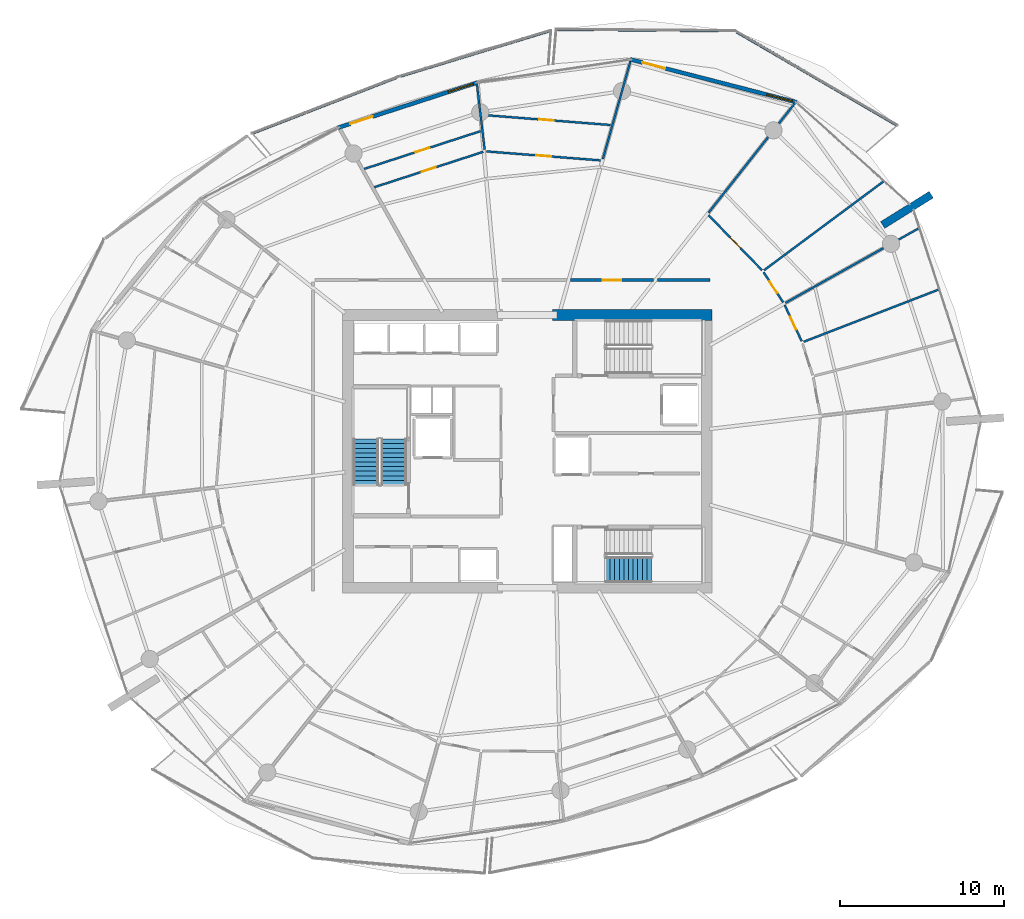
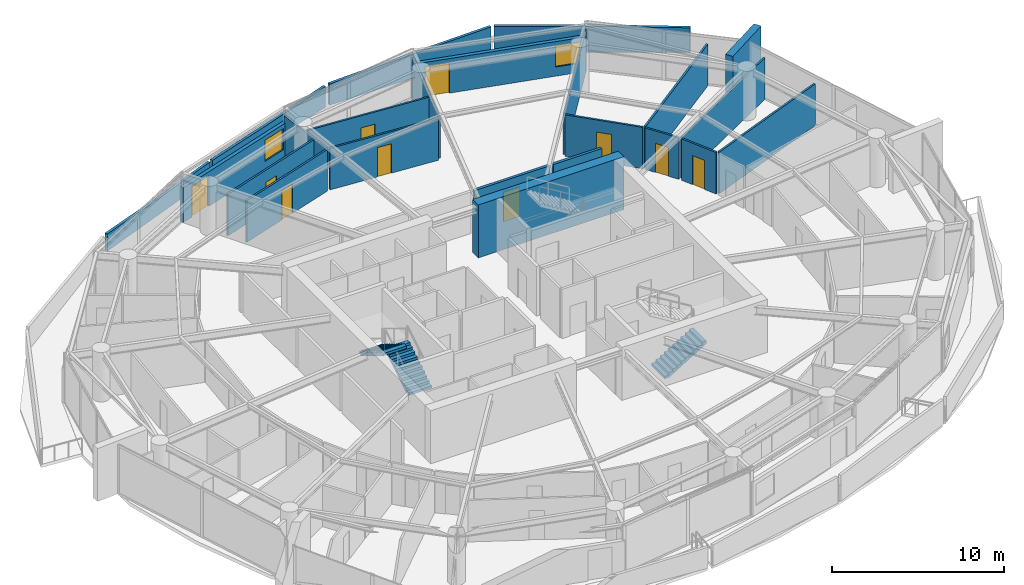
# One storey, part 15 of 21: 23 walls, 10 doors, 3 stair flights, 2 windows, 12 openings, 2 elements without a shape of their own.
"""IFC4 building model written with IfcOpenShell, lengths in metres."""

from ifc_helpers import new_model, si_unit, direction, frame, frame_2d, origin, place, context, subcontext, project, spatial, polyline, rectangle, outline, extrude, material, layer, layer_set, type_object, element, fill, aggregate, save


model = new_model("IFC4")

# Units and contexts
model_context = context("Model", 3, precision=1e-05, world=origin(), true_north=direction((0.0, 1.0)))
body_context = subcontext(model_context, "Body", "Model", "MODEL_VIEW")
ifc_project = project(units=[si_unit("LENGTHUNIT", "METRE"), si_unit("AREAUNIT", "SQUARE_METRE"), si_unit("VOLUMEUNIT", "CUBIC_METRE"), si_unit("PLANEANGLEUNIT", "RADIAN"), si_unit("MASSUNIT", "GRAM", prefix="KILO")], contexts=[model_context])

# Site, building, storey
site_placement = place(None, origin())
site = spatial("IfcSite", under=ifc_project, at=site_placement, CompositionType="ELEMENT")
building_placement = place(site_placement, origin())
building = spatial("IfcBuilding", under=site, at=building_placement, Name="Kazma Halo Residences", CompositionType="ELEMENT")
storey_placement = place(building_placement, frame((0.0, 0.0, 195.300048828125)))
storey = spatial("IfcBuildingStorey", under=building, at=storey_placement, Name="L49", CompositionType="ELEMENT", Elevation=195.300048828125)

# Walls
ifc_material_1 = material(Name="White Concrete C50/60 Balustrade", Category="concrete")
ifc_layer_1 = layer(ifc_material_1, 0.179931640625)
ifc_layer_set_1 = layer_set([ifc_layer_1], Name="White Concrete C50/60 Balustrade")
wall_type_1 = type_object("IfcWallType", Name="WL-BAL-WAVE-180", PredefinedType="PARAPET", material=ifc_layer_set_1)
wall_1_placement = place(storey_placement, frame((71.01611328125, 61.902099609375, 0.0), z_axis=(0.0, 0.0, 1.0), x_axis=(-0.864391947404, 0.502818616663, 0.0)))
element("IfcWall", 1, at=wall_1_placement, inside=storey, type_object=wall_type_1, Name="L49 white wave balustrade wall NE.1", PredefinedType="PARAPET", context=body_context, shape_type="SweptSolid", body=[
    extrude(outline(polyline([(0.0, 0.0), (11.369873046875, 0.0), (11.3701171875, 1.83203125), (5.68505859375, 1.85302734375), (0.0, 1.755859375), (0.0, 0.0)])), frame((0.0, 0.08984375, 0.0), z_axis=(0.0, -1.0, 0.0), x_axis=(1.0, 0.0, 0.0)), (0.0, 0.0, 1.0), 0.179931640625),
])
wall_2_placement = place(storey_placement, frame((60.96435546875, 67.680419921875, 0.0), z_axis=(0.0, 0.0, 1.0), x_axis=(-0.999967670182, 0.008041056536, 0.0)))
element("IfcWall", 2, at=wall_2_placement, inside=storey, type_object=wall_type_1, Name="L49 white wave balustrade wall NE.2", PredefinedType="PARAPET", context=body_context, shape_type="SweptSolid", body=[
    extrude(outline(polyline([(0.0, 0.0), (10.7783203125, 0.0), (10.7783203125, 1.4970703125), (5.38916015625, 1.696044921875), (0.0, 1.83203125), (0.0, 0.0)])), frame((0.0, 0.08984375, 0.0), z_axis=(0.0, -1.0, 0.0), x_axis=(1.0, 0.0, 0.0)), (0.0, 0.0, 1.0), 0.179931640625),
])
wall_3_placement = place(storey_placement, frame((49.864990234375, 67.70166015625, 0.0), z_axis=(0.0, 0.0, 1.0), x_axis=(-0.956822857871, -0.290671668135, 0.0)))
element("IfcWall", 3, at=wall_3_placement, inside=storey, type_object=wall_type_1, Name="L49 white wave balustrade wall NNW.1", PredefinedType="PARAPET", context=body_context, shape_type="SweptSolid", body=[
    extrude(outline(polyline([(0.0, 0.0), (9.59765625, 0.0), (9.59765625, 1.14794921875), (4.798828125, 1.283935546875), (0.0, 1.48291015625), (0.0, 0.0)])), frame((0.0, 0.08984375, 0.0), z_axis=(0.0, -1.0, 0.0), x_axis=(1.0, 0.0, 0.0)), (0.0, 0.0, 1.0), 0.179931640625),
])
wall_4_placement = place(storey_placement, frame((40.454833984375, 64.833740234375, 0.0), z_axis=(0.0, 0.0, 1.0), x_axis=(-0.932733135956, -0.360567465378, 0.0)))
element("IfcWall", 4, at=wall_4_placement, inside=storey, type_object=wall_type_1, Name="L49 white wave balustrade wall NNW.2", PredefinedType="PARAPET", context=body_context, shape_type="SweptSolid", body=[
    extrude(outline(polyline([(0.0, 0.0), (9.47265625, 0.0), (9.47265625, 1.223876953125), (4.736328125, 1.126953125), (0.0, 1.14794921875), (0.0, 0.0)])), frame((0.0, 0.08984375, 0.0), z_axis=(0.0, -1.0, 0.0), x_axis=(1.0, 0.0, 0.0)), (0.0, 0.0, 1.0), 0.179931640625),
])
ifc_material_2 = material(Name="Pale Concrete C60/75", Category="concrete")
ifc_layer_2 = layer(ifc_material_2, 0.47998046875)
ifc_layer_set_2 = layer_set([ifc_layer_2], Name="Pale Concrete C60/75")
wall_type_2 = type_object("IfcWallType", Name="WL-BLADE-480", PredefinedType="SOLIDWALL", material=ifc_layer_set_2)
wall_5_placement = place(storey_placement, frame((70.11376953125, 55.818115234375, 0.0), z_axis=(0.0, 0.0, 1.0), x_axis=(0.848033572426, 0.529942506352, 0.0)))
element("IfcWall", 5, at=wall_5_placement, inside=storey, type_object=wall_type_2, Name="L49 pale concrete structural blade fin wall BW-01", PredefinedType="SOLIDWALL", context=body_context, shape_type="SweptSolid", body=[
    extrude(rectangle(XDim=3.5, YDim=0.47998046875, at=frame_2d((1.75, 0.0))), origin(), (0.0, 0.0, 1.0), 3.75),
])
ifc_material_3 = material(Name="Concrete C60/75", Category="concrete")
ifc_layer_3 = layer(ifc_material_3, 0.64990234375)
ifc_layer_set_3 = layer_set([ifc_layer_3], Name="Concrete C60/75")
wall_type_3 = type_object("IfcWallType", Name="WL-CORE-650", PredefinedType="SHEAR", material=ifc_layer_set_3)
wall_6_placement = place(storey_placement, frame((49.949951171875, 50.324951171875, 0.0), z_axis=(0.0, 0.0, 1.0), x_axis=(1.0, 0.0, 0.0)))
element("IfcWall", 6, at=wall_6_placement, inside=storey, type_object=wall_type_3, Name="L49 central core shear wall NE", PredefinedType="SHEAR", context=body_context, shape_type="SweptSolid", body=[
    extrude(rectangle(XDim=9.75, YDim=0.64990234375, at=frame_2d((4.875, 0.0))), origin(), (0.0, 0.0, 1.0), 3.75),
])

# Wall, opening, door
ifc_material_4 = material(Name="Acoustic Twin-Stud Gypsum")
ifc_layer_4 = layer(ifc_material_4, 0.179931640625)
ifc_layer_set_4 = layer_set([ifc_layer_4], Name="Acoustic Twin-Stud Gypsum")
wall_type_4 = type_object("IfcWallType", Name="WL-DEM-180", PredefinedType="PARTITIONING", material=ifc_layer_set_4)
wall_7_placement = place(storey_placement, frame((56.1181640625, 52.449951171875, 0.0), z_axis=(0.0, 0.0, 1.0), x_axis=(-1.0, 0.0, 0.0)))
wall_7 = element("IfcWall", 7, at=wall_7_placement, inside=storey, type_object=wall_type_4, Name="L49 Apartment 2 entrance corridor wall", PredefinedType="PARTITIONING", context=body_context, shape_type="SweptSolid", body=[
    extrude(rectangle(XDim=5.051025390625, YDim=0.179931640625, at=frame_2d((2.525390625, 0.0))), origin(), (0.0, 0.0, 1.0), 2.93994140625),
])
opening_1_placement = place(wall_7_placement, frame((1.975341796875, 0.0, 0.0)))
opening_1 = element("IfcOpeningElement", 8, at=opening_1_placement, cuts=wall_7, Name="Opening DA-1100", PredefinedType="OPENING", context=body_context, shape_type="SweptSolid", body=[
    extrude(rectangle(XDim=1.10009765625, YDim=2.10009765625, at=frame_2d((0.550048828125, 1.050048828125))), frame((0.0, 0.099853515625, 0.0), z_axis=(0.0, -1.0, 0.0), x_axis=(1.0, 0.0, 0.0)), (0.0, 0.0, 1.0), 0.199951171875),
])
ifc_material_5 = material(Name="Acoustic Walnut Fire Leaf")
door_type_1 = type_object("IfcDoorType", Name="DR-FD60-1100", OperationType="NOTDEFINED", PredefinedType="DOOR", material=ifc_material_5)
door_1_placement = place(opening_1_placement, origin())
door_1 = element("IfcDoor", 9, at=door_1_placement, inside=storey, type_object=door_type_1, Name="L49 Apartment 2 entrance fire door", OperationType="SINGLE_SWING_RIGHT", OverallHeight=2.10009765625, OverallWidth=1.10009765625, PredefinedType="DOOR", context=body_context, shape_type="SweptSolid", body=[
    extrude(rectangle(XDim=1.10009765625, YDim=2.10009765625, at=frame_2d((0.550048828125, 1.050048828125))), frame((0.0, 0.02490234375, 0.0), z_axis=(0.0, -1.0, 0.0), x_axis=(1.0, 0.0, 0.0)), (0.0, 0.0, 1.0), 0.050048828125),
])
fill(opening_1, door_1)

# Wall
wall_8_placement = place(storey_placement, frame((59.580078125, 52.449951171875, 0.0), z_axis=(0.0, 0.0, 1.0), x_axis=(-1.0, 0.0, 0.0)))
element("IfcWall", 10, at=wall_8_placement, inside=storey, type_object=wall_type_4, Name="L49 Apartment 2 inner wall 0", PredefinedType="PARTITIONING", context=body_context, shape_type="SweptSolid", body=[
    extrude(rectangle(XDim=3.221923828125, YDim=0.179931640625, at=frame_2d((1.61083984375, 0.0))), origin(), (0.0, 0.0, 1.0), 2.93994140625),
])

# Wall, openings, door, window
ifc_material_6 = material(Name="Insulated Pale-Metal Composite Wall")
ifc_layer_5 = layer(ifc_material_6, 0.239990234375)
ifc_layer_set_5 = layer_set([ifc_layer_5], Name="Insulated Pale-Metal Composite Wall")
wall_type_5 = type_object("IfcWallType", Name="WL-EXT-HOST-240", PredefinedType="SOLIDWALL", material=ifc_layer_set_5)
wall_9_placement = place(storey_placement, frame((64.860107421875, 63.31298828125, 0.0), z_axis=(0.0, 0.0, 1.0), x_axis=(-0.968374028006, 0.249502989727, 0.0)))
wall_9 = element("IfcWall", 11, at=wall_9_placement, inside=storey, type_object=wall_type_5, Name="L49 exterior terrace-access wall B02", PredefinedType="SOLIDWALL", context=body_context, shape_type="SweptSolid", body=[
    extrude(rectangle(XDim=10.494384765625, YDim=0.239990234375, at=frame_2d((5.2470703125, 0.0))), origin(), (0.0, 0.0, 1.0), 2.449951171875),
])
opening_2_placement = place(wall_9_placement, frame((8.2744140625, 0.0, 0.0)))
opening_2 = element("IfcOpeningElement", 12, at=opening_2_placement, cuts=wall_9, Name="Opening DTR-1600", PredefinedType="OPENING", context=body_context, shape_type="SweptSolid", body=[
    extrude(rectangle(XDim=1.449951171875, YDim=2.14990234375, at=frame_2d((0.72509765625, 1.074951171875))), frame((0.0, 0.1298828125, 0.0), z_axis=(0.0, -1.0, 0.0), x_axis=(1.0, 0.0, 0.0)), (0.0, 0.0, 1.0), 0.260009765625),
])
opening_3_placement = place(wall_9_placement, frame((0.280029296875, 0.0, 0.64990234375)))
opening_3 = element("IfcOpeningElement", 13, at=opening_3_placement, cuts=wall_9, Name="Opening W-1800", PredefinedType="OPENING", context=body_context, shape_type="SweptSolid", body=[
    extrude(rectangle(XDim=1.60009765625, YDim=1.5, at=frame_2d((0.800048828125, 0.75))), frame((0.0, 0.1298828125, 0.0), z_axis=(0.0, -1.0, 0.0), x_axis=(1.0, 0.0, 0.0)), (0.0, 0.0, 1.0), 0.260009765625),
])
ifc_material_7 = material(Name="Aluminium AW-6063 T6 Double-Glazed Terrace Door", Category="aluminium")
door_type_2 = type_object("IfcDoorType", Name="DR-EXT-TERR-1600", OperationType="NOTDEFINED", PredefinedType="DOOR", material=ifc_material_7)
door_2_placement = place(opening_2_placement, origin())
door_2 = element("IfcDoor", 14, at=door_2_placement, inside=storey, type_object=door_type_2, Name="L49 B02 balcony terrace door", OperationType="DOUBLE_DOOR_SLIDING", OverallHeight=2.14990234375, OverallWidth=1.449951171875, PredefinedType="DOOR", context=body_context, shape_type="SweptSolid", body=[
    extrude(rectangle(XDim=1.449951171875, YDim=2.14990234375, at=frame_2d((0.72509765625, 1.074951171875))), frame((0.0, 0.02490234375, 0.0), z_axis=(0.0, -1.0, 0.0), x_axis=(1.0, 0.0, 0.0)), (0.0, 0.0, 1.0), 0.050048828125),
])
fill(opening_2, door_2)
ifc_material_8 = material(Name="Clear Triple-Silver Low-E Glass in Aluminium AW-6063 T6 Frame", Category="aluminium")
window_type = type_object("IfcWindowType", Name="WIN-RES-1800", PartitioningType="DOUBLE_PANEL_VERTICAL", PredefinedType="WINDOW", material=ifc_material_8)
window_1_placement = place(opening_3_placement, origin())
window_1 = element("IfcWindow", 15, at=window_1_placement, inside=storey, type_object=window_type, Name="L49 B02 apartment window", OverallHeight=1.5, OverallWidth=1.60009765625, PartitioningType="SINGLE_PANEL", PredefinedType="WINDOW", context=body_context, shape_type="SweptSolid", body=[
    extrude(rectangle(XDim=1.60009765625, YDim=1.5, at=frame_2d((0.800048828125, 0.75))), frame((0.0, 0.030029296875, 0.0), z_axis=(0.0, -1.0, 0.0), x_axis=(1.0, 0.0, 0.0)), (0.0, 0.0, 1.0), 0.06005859375),
])
fill(opening_3, window_1)

wall_10_placement = place(storey_placement, frame((45.38427734375, 64.518798828125, 0.0), z_axis=(0.0, 0.0, 1.0), x_axis=(-0.951058543936, -0.309010753869, 0.0)))
wall_10 = element("IfcWall", 16, at=wall_10_placement, inside=storey, type_object=wall_type_5, Name="L49 exterior terrace-access wall B04", PredefinedType="SOLIDWALL", context=body_context, shape_type="SweptSolid", body=[
    extrude(rectangle(XDim=8.942138671875, YDim=0.239990234375, at=frame_2d((4.47119140625, 0.0))), origin(), (0.0, 0.0, 1.0), 2.449951171875),
])
opening_4_placement = place(wall_10_placement, frame((6.721923828125, 0.0, 0.0)))
opening_4 = element("IfcOpeningElement", 17, at=opening_4_placement, cuts=wall_10, Name="Opening DTR-1600", PredefinedType="OPENING", context=body_context, shape_type="SweptSolid", body=[
    extrude(rectangle(XDim=1.449951171875, YDim=2.14990234375, at=frame_2d((0.72509765625, 1.074951171875))), frame((0.0, 0.1298828125, 0.0), z_axis=(0.0, -1.0, 0.0), x_axis=(1.0, 0.0, 0.0)), (0.0, 0.0, 1.0), 0.260009765625),
])
opening_5_placement = place(wall_10_placement, frame((0.280029296875, 0.0, 0.64990234375)))
opening_5 = element("IfcOpeningElement", 18, at=opening_5_placement, cuts=wall_10, Name="Opening W-1800", PredefinedType="OPENING", context=body_context, shape_type="SweptSolid", body=[
    extrude(rectangle(XDim=1.60009765625, YDim=1.5, at=frame_2d((0.800048828125, 0.75))), frame((0.0, 0.1298828125, 0.0), z_axis=(0.0, -1.0, 0.0), x_axis=(1.0, 0.0, 0.0)), (0.0, 0.0, 1.0), 0.260009765625),
])
door_3_placement = place(opening_4_placement, origin())
door_3 = element("IfcDoor", 19, at=door_3_placement, inside=storey, type_object=door_type_2, Name="L49 B04 balcony terrace door", OperationType="DOUBLE_DOOR_SLIDING", OverallHeight=2.14990234375, OverallWidth=1.449951171875, PredefinedType="DOOR", context=body_context, shape_type="SweptSolid", body=[
    extrude(rectangle(XDim=1.449951171875, YDim=2.14990234375, at=frame_2d((0.72509765625, 1.074951171875))), frame((0.0, 0.02490234375, 0.0), z_axis=(0.0, -1.0, 0.0), x_axis=(1.0, 0.0, 0.0)), (0.0, 0.0, 1.0), 0.050048828125),
])
fill(opening_4, door_3)
window_2_placement = place(opening_5_placement, origin())
window_2 = element("IfcWindow", 20, at=window_2_placement, inside=storey, type_object=window_type, Name="L49 B04 apartment window", OverallHeight=1.5, OverallWidth=1.60009765625, PartitioningType="SINGLE_PANEL", PredefinedType="WINDOW", context=body_context, shape_type="SweptSolid", body=[
    extrude(rectangle(XDim=1.60009765625, YDim=1.5, at=frame_2d((0.800048828125, 0.75))), frame((0.0, 0.030029296875, 0.0), z_axis=(0.0, -1.0, 0.0), x_axis=(1.0, 0.0, 0.0)), (0.0, 0.0, 1.0), 0.06005859375),
])
fill(opening_5, window_2)

# Wall
ifc_material_9 = material(Name="Gypsum Plasterboard Partition")
ifc_layer_6 = layer(ifc_material_9, 0.125)
ifc_layer_set_6 = layer_set([ifc_layer_6], Name="Gypsum Plasterboard Partition")
wall_type_6 = type_object("IfcWallType", Name="WL-PART-125", PredefinedType="PARTITIONING", material=ifc_layer_set_6)
wall_11_placement = place(storey_placement, frame((65.288330078125, 48.6884765625, 0.0), z_axis=(0.0, 0.0, 1.0), x_axis=(0.932645255022, 0.360794717652, 0.0)))
element("IfcWall", 21, at=wall_11_placement, inside=storey, type_object=wall_type_6, Name="L49 Apartment 2 bay wall 2 15", PredefinedType="PARTITIONING", context=body_context, shape_type="SweptSolid", body=[
    extrude(rectangle(XDim=8.863037109375, YDim=0.125, at=frame_2d((4.431640625, 0.0))), origin(), (0.0, 0.0, 1.0), 2.93994140625),
])

# Wall, opening, door
wall_12_placement = place(storey_placement, frame((65.17041015625, 48.728271484375, 0.0), z_axis=(0.0, 0.0, 1.0), x_axis=(-0.42584510915, 0.904796078138, 0.0)))
wall_12 = element("IfcWall", 22, at=wall_12_placement, inside=storey, type_object=wall_type_6, Name="L49 Apartment 2 Outer Bedroom hall wall", PredefinedType="PARTITIONING", context=body_context, shape_type="SweptSolid", body=[
    extrude(rectangle(XDim=2.44580078125, YDim=0.125, at=frame_2d((1.222900390625, 0.0))), origin(), (0.0, 0.0, 1.0), 2.93994140625),
])
opening_6_placement = place(wall_12_placement, frame((0.7978515625, 0.0, 0.0)))
opening_6 = element("IfcOpeningElement", 23, at=opening_6_placement, cuts=wall_12, Name="Opening DB-900", PredefinedType="OPENING", context=body_context, shape_type="SweptSolid", body=[
    extrude(rectangle(XDim=0.85009765625, YDim=2.06005859375, at=frame_2d((0.425048828125, 1.030029296875))), frame((0.0, 0.072509765625, 0.0), z_axis=(0.0, -1.0, 0.0), x_axis=(1.0, 0.0, 0.0)), (0.0, 0.0, 1.0), 0.14501953125),
])
ifc_material_10 = material(Name="Moisture-Sealed Timber Leaf", Category="wood")
door_type_3 = type_object("IfcDoorType", Name="DR-BTH-900", OperationType="NOTDEFINED", PredefinedType="DOOR", material=ifc_material_10)
door_4_placement = place(opening_6_placement, origin())
door_4 = element("IfcDoor", 24, at=door_4_placement, inside=storey, type_object=door_type_3, Name="L49 Apartment 2 Outer Bedroom door", OperationType="SINGLE_SWING_RIGHT", OverallHeight=2.06005859375, OverallWidth=0.85009765625, PredefinedType="DOOR", context=body_context, shape_type="SweptSolid", body=[
    extrude(rectangle(XDim=0.85009765625, YDim=2.06005859375, at=frame_2d((0.425048828125, 1.030029296875))), frame((0.0, 0.02490234375, 0.0), z_axis=(0.0, -1.0, 0.0), x_axis=(1.0, 0.0, 0.0)), (0.0, 0.0, 1.0), 0.050048828125),
])
fill(opening_6, door_4)

# Walls
wall_13_placement = place(storey_placement, frame((64.18212890625, 51.0625, 0.0), z_axis=(0.0, 0.0, 1.0), x_axis=(0.872500226359, 0.488613707344, 0.0)))
element("IfcWall", 25, at=wall_13_placement, inside=storey, type_object=wall_type_6, Name="L49 Apartment 2 radial partition 0", PredefinedType="PARTITIONING", context=body_context, shape_type="SweptSolid", body=[
    extrude(rectangle(XDim=9.34814453125, YDim=0.125, at=frame_2d((4.674072265625, 0.0))), origin(), (0.0, 0.0, 1.0), 2.93994140625),
])
wall_14_placement = place(storey_placement, frame((59.482421875, 56.565185546875, 0.0), z_axis=(0.0, 0.0, 1.0), x_axis=(0.619076951814, 0.785330330328, 0.0)))
element("IfcWall", 26, at=wall_14_placement, inside=storey, type_object=wall_type_6, Name="L49 Apartment 2 living radial partition 0", PredefinedType="PARTITIONING", context=body_context, shape_type="SweptSolid", body=[
    extrude(rectangle(XDim=8.583251953125, YDim=0.125, at=frame_2d((4.29150390625, 0.0))), origin(), (0.0, 0.0, 1.0), 2.93994140625),
])
wall_15_placement = place(storey_placement, frame((62.8759765625, 53.06005859375, 0.0), z_axis=(0.0, 0.0, 1.0), x_axis=(0.802513116708, 0.596634475631, 0.0)))
element("IfcWall", 27, at=wall_15_placement, inside=storey, type_object=wall_type_6, Name="L49 Apartment 2 mid-bay wall 0", PredefinedType="PARTITIONING", context=body_context, shape_type="SweptSolid", body=[
    extrude(rectangle(XDim=9.0908203125, YDim=0.125, at=frame_2d((4.54541015625, 0.0))), origin(), (0.0, 0.0, 1.0), 2.93994140625),
])

# Wall, opening, door
wall_16_placement = place(storey_placement, frame((64.04052734375, 51.097412109375, 0.0), z_axis=(0.0, 0.0, 1.0), x_axis=(-0.543689429225, 0.839286485384, 0.0)))
wall_16 = element("IfcWall", 28, at=wall_16_placement, inside=storey, type_object=wall_type_6, Name="L49 Apartment 2 Corner Wine Pantry Store hall wall", PredefinedType="PARTITIONING", context=body_context, shape_type="SweptSolid", body=[
    extrude(rectangle(XDim=2.194580078125, YDim=0.125, at=frame_2d((1.09716796875, 0.0))), origin(), (0.0, 0.0, 1.0), 2.93994140625),
])
opening_7_placement = place(wall_16_placement, frame((0.672119140625, 0.0, 0.0)))
opening_7 = element("IfcOpeningElement", 29, at=opening_7_placement, cuts=wall_16, Name="Opening DB-900", PredefinedType="OPENING", context=body_context, shape_type="SweptSolid", body=[
    extrude(rectangle(XDim=0.85009765625, YDim=2.06005859375, at=frame_2d((0.425048828125, 1.030029296875))), frame((0.0, 0.072509765625, 0.0), z_axis=(0.0, -1.0, 0.0), x_axis=(1.0, 0.0, 0.0)), (0.0, 0.0, 1.0), 0.14501953125),
])
door_5_placement = place(opening_7_placement, origin())
door_5 = element("IfcDoor", 30, at=door_5_placement, inside=storey, type_object=door_type_3, Name="L49 Apartment 2 Corner Wine Pantry Store door", OperationType="SINGLE_SWING_RIGHT", OverallHeight=2.06005859375, OverallWidth=0.85009765625, PredefinedType="DOOR", context=body_context, shape_type="SweptSolid", body=[
    extrude(rectangle(XDim=0.85009765625, YDim=2.06005859375, at=frame_2d((0.425048828125, 1.030029296875))), frame((0.0, 0.02490234375, 0.0), z_axis=(0.0, -1.0, 0.0), x_axis=(1.0, 0.0, 0.0)), (0.0, 0.0, 1.0), 0.050048828125),
])
fill(opening_7, door_5)

wall_17_placement = place(storey_placement, frame((62.748046875, 53.063720703125, 0.0), z_axis=(0.0, 0.0, 1.0), x_axis=(-0.697059745536, 0.717013048106, 0.0)))
wall_17 = element("IfcWall", 31, at=wall_17_placement, inside=storey, type_object=wall_type_6, Name="L49 Apartment 2 Garden Formal Dining Room hall wall", PredefinedType="PARTITIONING", context=body_context, shape_type="SweptSolid", body=[
    extrude(rectangle(XDim=4.674072265625, YDim=0.125, at=frame_2d((2.3369140625, 0.0))), origin(), (0.0, 0.0, 1.0), 2.93994140625),
])
opening_8_placement = place(wall_17_placement, frame((1.886962890625, 0.0, 0.0)))
opening_8 = element("IfcOpeningElement", 32, at=opening_8_placement, cuts=wall_17, Name="Opening DI-950", PredefinedType="OPENING", context=body_context, shape_type="SweptSolid", body=[
    extrude(rectangle(XDim=0.89990234375, YDim=2.080078125, at=frame_2d((0.449951171875, 1.0400390625))), frame((0.0, 0.072509765625, 0.0), z_axis=(0.0, -1.0, 0.0), x_axis=(1.0, 0.0, 0.0)), (0.0, 0.0, 1.0), 0.14501953125),
])
ifc_material_11 = material(Name="Timber Veneer Flush Leaf", Category="wood")
door_type_4 = type_object("IfcDoorType", Name="DR-INT-950", OperationType="NOTDEFINED", PredefinedType="DOOR", material=ifc_material_11)
door_6_placement = place(opening_8_placement, origin())
door_6 = element("IfcDoor", 33, at=door_6_placement, inside=storey, type_object=door_type_4, Name="L49 Apartment 2 Garden Formal Dining Room door", OperationType="SINGLE_SWING_LEFT", OverallHeight=2.080078125, OverallWidth=0.89990234375, PredefinedType="DOOR", context=body_context, shape_type="SweptSolid", body=[
    extrude(rectangle(XDim=0.89990234375, YDim=2.080078125, at=frame_2d((0.449951171875, 1.0400390625))), frame((0.0, 0.02490234375, 0.0), z_axis=(0.0, -1.0, 0.0), x_axis=(1.0, 0.0, 0.0)), (0.0, 0.0, 1.0), 0.050048828125),
])
fill(opening_8, door_6)

# Wall
wall_18_placement = place(storey_placement, frame((53.034423828125, 59.8505859375, 0.0), z_axis=(0.0, 0.0, 1.0), x_axis=(0.271437645754, 0.96245602729, 0.0)))
element("IfcWall", 34, at=wall_18_placement, inside=storey, type_object=wall_type_6, Name="L49 Apartment 2 radial partition 2", PredefinedType="PARTITIONING", context=body_context, shape_type="SweptSolid", body=[
    extrude(rectangle(XDim=6.179931640625, YDim=0.125, at=frame_2d((3.08984375, 0.0))), origin(), (0.0, 0.0, 1.0), 2.93994140625),
])

# Wall, opening, door
wall_19_placement = place(storey_placement, frame((52.897705078125, 59.762939453125, 0.0), z_axis=(0.0, 0.0, 1.0), x_axis=(-0.996915822173, 0.078478299552, 0.0)))
wall_19 = element("IfcWall", 35, at=wall_19_placement, inside=storey, type_object=wall_type_6, Name="L49 Apartment 2 Sky Study hall wall", PredefinedType="PARTITIONING", context=body_context, shape_type="SweptSolid", body=[
    extrude(rectangle(XDim=6.977783203125, YDim=0.125, at=frame_2d((3.48876953125, 0.0))), origin(), (0.0, 0.0, 1.0), 2.93994140625),
])
opening_9_placement = place(wall_19_placement, frame((3.038818359375, 0.0, 0.0)))
opening_9 = element("IfcOpeningElement", 36, at=opening_9_placement, cuts=wall_19, Name="Opening DI-950", PredefinedType="OPENING", context=body_context, shape_type="SweptSolid", body=[
    extrude(rectangle(XDim=0.89990234375, YDim=2.080078125, at=frame_2d((0.449951171875, 1.0400390625))), frame((0.0, 0.072509765625, 0.0), z_axis=(0.0, -1.0, 0.0), x_axis=(1.0, 0.0, 0.0)), (0.0, 0.0, 1.0), 0.14501953125),
])
door_7_placement = place(opening_9_placement, origin())
door_7 = element("IfcDoor", 37, at=door_7_placement, inside=storey, type_object=door_type_4, Name="L49 Apartment 2 Sky Study door", OperationType="SINGLE_SWING_RIGHT", OverallHeight=2.080078125, OverallWidth=0.89990234375, PredefinedType="DOOR", context=body_context, shape_type="SweptSolid", body=[
    extrude(rectangle(XDim=0.89990234375, YDim=2.080078125, at=frame_2d((0.449951171875, 1.0400390625))), frame((0.0, 0.02490234375, 0.0), z_axis=(0.0, -1.0, 0.0), x_axis=(1.0, 0.0, 0.0)), (0.0, 0.0, 1.0), 0.050048828125),
])
fill(opening_9, door_7)

wall_20_placement = place(storey_placement, frame((53.506591796875, 61.9228515625, 0.0), z_axis=(0.0, 0.0, 1.0), x_axis=(-0.996916671393, 0.078467511105, 0.0)))
wall_20 = element("IfcWall", 38, at=wall_20_placement, inside=storey, type_object=wall_type_6, Name="L49 Apartment 2 Gulf Bedroom divider wall", PredefinedType="PARTITIONING", context=body_context, shape_type="SweptSolid", body=[
    extrude(rectangle(XDim=7.85302734375, YDim=0.125, at=frame_2d((3.926513671875, 0.0))), origin(), (0.0, 0.0, 1.0), 2.93994140625),
])
opening_10_placement = place(wall_20_placement, frame((3.4765625, 0.0, 0.0)))
opening_10 = element("IfcOpeningElement", 39, at=opening_10_placement, cuts=wall_20, Name="Opening DI-950", PredefinedType="OPENING", context=body_context, shape_type="SweptSolid", body=[
    extrude(rectangle(XDim=0.89990234375, YDim=2.080078125, at=frame_2d((0.449951171875, 1.0400390625))), frame((0.0, 0.072509765625, 0.0), z_axis=(0.0, -1.0, 0.0), x_axis=(1.0, 0.0, 0.0)), (0.0, 0.0, 1.0), 0.14501953125),
])
door_8_placement = place(opening_10_placement, origin())
door_8 = element("IfcDoor", 40, at=door_8_placement, inside=storey, type_object=door_type_4, Name="L49 Apartment 2 Gulf Bedroom door", OperationType="SINGLE_SWING_LEFT", OverallHeight=2.080078125, OverallWidth=0.89990234375, PredefinedType="DOOR", context=body_context, shape_type="SweptSolid", body=[
    extrude(rectangle(XDim=0.89990234375, YDim=2.080078125, at=frame_2d((0.449951171875, 1.0400390625))), frame((0.0, 0.02490234375, 0.0), z_axis=(0.0, -1.0, 0.0), x_axis=(1.0, 0.0, 0.0)), (0.0, 0.0, 1.0), 0.050048828125),
])
fill(opening_10, door_8)

# Wall
wall_21_placement = place(storey_placement, frame((45.820068359375, 60.41845703125, 0.0), z_axis=(0.0, 0.0, 1.0), x_axis=(-0.117520306907, 0.993070479606, 0.0)))
element("IfcWall", 41, at=wall_21_placement, inside=storey, type_object=wall_type_6, Name="L49 Apartment 2 radial partition 3", PredefinedType="PARTITIONING", context=body_context, shape_type="SweptSolid", body=[
    extrude(rectangle(XDim=4.08837890625, YDim=0.125, at=frame_2d((2.044189453125, 0.0))), origin(), (0.0, 0.0, 1.0), 2.93994140625),
])

# Wall, opening, door
wall_22_placement = place(storey_placement, frame((45.727294921875, 60.28515625, 0.0), z_axis=(0.0, 0.0, 1.0), x_axis=(-0.951056178842, -0.309018032946, 0.0)))
wall_22 = element("IfcWall", 42, at=wall_22_placement, inside=storey, type_object=wall_type_6, Name="L49 Apartment 2 Primary Study hall wall", PredefinedType="PARTITIONING", context=body_context, shape_type="SweptSolid", body=[
    extrude(rectangle(XDim=6.977783203125, YDim=0.125, at=frame_2d((3.48876953125, 0.0))), origin(), (0.0, 0.0, 1.0), 2.93994140625),
])
opening_11_placement = place(wall_22_placement, frame((3.038818359375, 0.0, 0.0)))
opening_11 = element("IfcOpeningElement", 43, at=opening_11_placement, cuts=wall_22, Name="Opening DI-950", PredefinedType="OPENING", context=body_context, shape_type="SweptSolid", body=[
    extrude(rectangle(XDim=0.89990234375, YDim=2.080078125, at=frame_2d((0.449951171875, 1.0400390625))), frame((0.0, 0.072509765625, 0.0), z_axis=(0.0, -1.0, 0.0), x_axis=(1.0, 0.0, 0.0)), (0.0, 0.0, 1.0), 0.14501953125),
])
door_9_placement = place(opening_11_placement, origin())
door_9 = element("IfcDoor", 44, at=door_9_placement, inside=storey, type_object=door_type_4, Name="L49 Apartment 2 Primary Study door", OperationType="SINGLE_SWING_LEFT", OverallHeight=2.080078125, OverallWidth=0.89990234375, PredefinedType="DOOR", context=body_context, shape_type="SweptSolid", body=[
    extrude(rectangle(XDim=0.89990234375, YDim=2.080078125, at=frame_2d((0.449951171875, 1.0400390625))), frame((0.0, 0.02490234375, 0.0), z_axis=(0.0, -1.0, 0.0), x_axis=(1.0, 0.0, 0.0)), (0.0, 0.0, 1.0), 0.050048828125),
])
fill(opening_11, door_9)

wall_23_placement = place(storey_placement, frame((45.5771484375, 61.55224609375, 0.0), z_axis=(0.0, 0.0, 1.0), x_axis=(-0.95105638647, -0.309017393935, 0.0)))
wall_23 = element("IfcWall", 45, at=wall_23_placement, inside=storey, type_object=wall_type_6, Name="L49 Apartment 2 Secondary Bedroom divider wall", PredefinedType="PARTITIONING", context=body_context, shape_type="SweptSolid", body=[
    extrude(rectangle(XDim=7.4755859375, YDim=0.125, at=frame_2d((3.73779296875, 0.0))), origin(), (0.0, 0.0, 1.0), 2.93994140625),
])
opening_12_placement = place(wall_23_placement, frame((3.287841796875, 0.0, 0.0)))
opening_12 = element("IfcOpeningElement", 46, at=opening_12_placement, cuts=wall_23, Name="Opening DI-950", PredefinedType="OPENING", context=body_context, shape_type="SweptSolid", body=[
    extrude(rectangle(XDim=0.89990234375, YDim=2.080078125, at=frame_2d((0.449951171875, 1.0400390625))), frame((0.0, 0.072509765625, 0.0), z_axis=(0.0, -1.0, 0.0), x_axis=(1.0, 0.0, 0.0)), (0.0, 0.0, 1.0), 0.14501953125),
])
door_10_placement = place(opening_12_placement, origin())
door_10 = element("IfcDoor", 47, at=door_10_placement, inside=storey, type_object=door_type_4, Name="L49 Apartment 2 Secondary Bedroom door", OperationType="SINGLE_SWING_RIGHT", OverallHeight=2.080078125, OverallWidth=0.89990234375, PredefinedType="DOOR", context=body_context, shape_type="SweptSolid", body=[
    extrude(rectangle(XDim=0.89990234375, YDim=2.080078125, at=frame_2d((0.449951171875, 1.0400390625))), frame((0.0, 0.02490234375, 0.0), z_axis=(0.0, -1.0, 0.0), x_axis=(1.0, 0.0, 0.0)), (0.0, 0.0, 1.0), 0.050048828125),
])
fill(opening_12, door_10)

# Stair, stair flights
ifc_material_12 = material(Name="Concrete C50/60", Category="concrete")
stair_type = type_object("IfcStairType", Name="STR-RES1", PredefinedType="HALF_TURN_STAIR", material=ifc_material_12)
stair_1_placement = place(storey_placement, origin())
stair_1 = element("IfcStair", 48, at=stair_1_placement, inside=storey, type_object=stair_type, Name="L49 Core exit stair ST-01", PredefinedType="HALF_TURN_STAIR")
stair_flight_type = type_object("IfcStairFlightType", Name="STR-RES1-FLT", PredefinedType="STRAIGHT", material=ifc_material_12)
stair_flight_1_placement = place(storey_placement, frame((40.27490234375, 39.949951171875, 0.0), z_axis=(0.0, 0.0, 1.0), x_axis=(0.0, 1.0, 0.0)))
stair_flight_1 = element("IfcStairFlight", 49, at=stair_flight_1_placement, type_object=stair_flight_type, Name="ST-01 flight 1", NumberOfRisers=11, NumberOfTreads=10, PredefinedType="STRAIGHT", RiserHeight=0.170454545, TreadLength=0.28, context=body_context, shape_type="SweptSolid", body=[
    extrude(outline(polyline([(0.0, 0.0), (0.0, 0.17041015625), (0.280029296875, 0.17041015625), (0.280029296875, 0.3408203125), (0.56005859375, 0.3408203125), (0.56005859375, 0.511474609375), (0.840087890625, 0.511474609375), (0.840087890625, 0.681884765625), (1.1201171875, 0.681884765625), (1.1201171875, 0.852294921875), (1.39990234375, 0.852294921875), (1.39990234375, 1.022705078125), (1.679931640625, 1.022705078125), (1.679931640625, 1.193115234375), (1.9599609375, 1.193115234375), (1.9599609375, 1.363525390625), (2.239990234375, 1.363525390625), (2.239990234375, 1.5341796875), (2.52001953125, 1.5341796875), (2.52001953125, 1.70458984375), (2.800048828125, 1.70458984375), (2.800048828125, 1.875), (2.800048828125, 1.529052734375), (0.288330078125, 0.0), (0.0, 0.0)])), frame((0.0, 0.77490234375, 0.0), z_axis=(0.0, -1.0, 0.0), x_axis=(1.0, 0.0, 0.0)), (0.0, 0.0, 1.0), 1.550048828125),
])
stair_flight_2_placement = place(storey_placement, frame((38.574951171875, 42.75, 1.875), z_axis=(0.0, 0.0, 1.0), x_axis=(0.0, -1.0, 0.0)))
stair_flight_2 = element("IfcStairFlight", 50, at=stair_flight_2_placement, type_object=stair_flight_type, Name="ST-01 flight 2", NumberOfRisers=11, NumberOfTreads=10, PredefinedType="STRAIGHT", RiserHeight=0.170454545, TreadLength=0.28, context=body_context, shape_type="SweptSolid", body=[
    extrude(outline(polyline([(0.0, 0.0), (0.0, 0.17041015625), (0.280029296875, 0.17041015625), (0.280029296875, 0.3408203125), (0.56005859375, 0.3408203125), (0.56005859375, 0.511474609375), (0.840087890625, 0.511474609375), (0.840087890625, 0.681884765625), (1.1201171875, 0.681884765625), (1.1201171875, 0.852294921875), (1.39990234375, 0.852294921875), (1.39990234375, 1.022705078125), (1.679931640625, 1.022705078125), (1.679931640625, 1.193115234375), (1.9599609375, 1.193115234375), (1.9599609375, 1.363525390625), (2.239990234375, 1.363525390625), (2.239990234375, 1.5341796875), (2.52001953125, 1.5341796875), (2.52001953125, 1.70458984375), (2.800048828125, 1.70458984375), (2.800048828125, 1.875), (2.800048828125, 1.529052734375), (0.288330078125, 0.0), (0.0, 0.0)])), frame((0.0, 0.77490234375, 0.0), z_axis=(0.0, -1.0, 0.0), x_axis=(1.0, 0.0, 0.0)), (0.0, 0.0, 1.0), 1.550048828125),
])
aggregate(stair_1, [stair_flight_1, stair_flight_2])

# Stair, stair flight
stair_2_placement = place(storey_placement, origin())
stair_2 = element("IfcStair", 51, at=stair_2_placement, inside=storey, type_object=stair_type, Name="L49 Core exit stair ST-03", PredefinedType="HALF_TURN_STAIR")
stair_flight_3_placement = place(storey_placement, frame((53.199951171875, 34.77490234375, 0.0), z_axis=(0.0, 0.0, 1.0), x_axis=(1.0, 0.0, 0.0)))
stair_flight_3 = element("IfcStairFlight", 52, at=stair_flight_3_placement, type_object=stair_flight_type, Name="ST-03 flight 1", NumberOfRisers=11, NumberOfTreads=10, PredefinedType="STRAIGHT", RiserHeight=0.170454545, TreadLength=0.28, context=body_context, shape_type="SweptSolid", body=[
    extrude(outline(polyline([(0.0, 0.0), (0.0, 0.17041015625), (0.280029296875, 0.17041015625), (0.280029296875, 0.3408203125), (0.56005859375, 0.3408203125), (0.56005859375, 0.511474609375), (0.840087890625, 0.511474609375), (0.840087890625, 0.681884765625), (1.1201171875, 0.681884765625), (1.1201171875, 0.852294921875), (1.39990234375, 0.852294921875), (1.39990234375, 1.022705078125), (1.679931640625, 1.022705078125), (1.679931640625, 1.193115234375), (1.9599609375, 1.193115234375), (1.9599609375, 1.363525390625), (2.239990234375, 1.363525390625), (2.239990234375, 1.5341796875), (2.52001953125, 1.5341796875), (2.52001953125, 1.70458984375), (2.800048828125, 1.70458984375), (2.800048828125, 1.875), (2.800048828125, 1.529052734375), (0.288330078125, 0.0), (0.0, 0.0)])), frame((0.0, 0.77490234375, 0.0), z_axis=(0.0, -1.0, 0.0), x_axis=(1.0, 0.0, 0.0)), (0.0, 0.0, 1.0), 1.550048828125),
])
aggregate(stair_2, [stair_flight_3])

save(model, "model.ifc")
